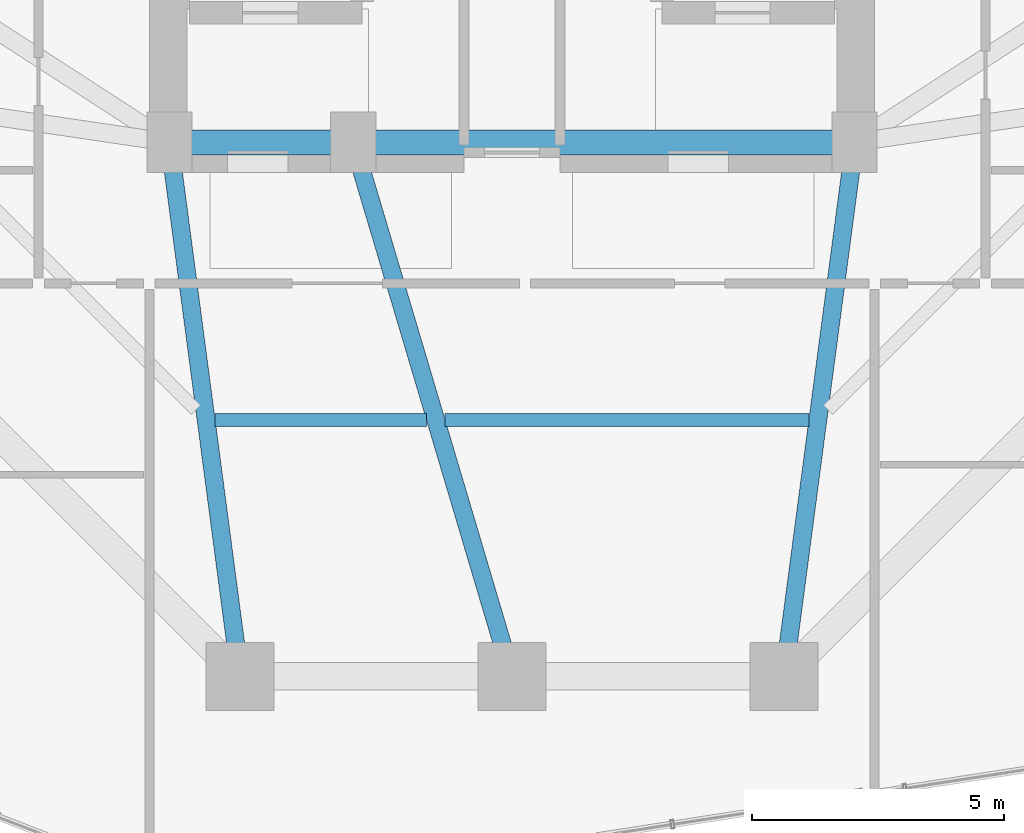
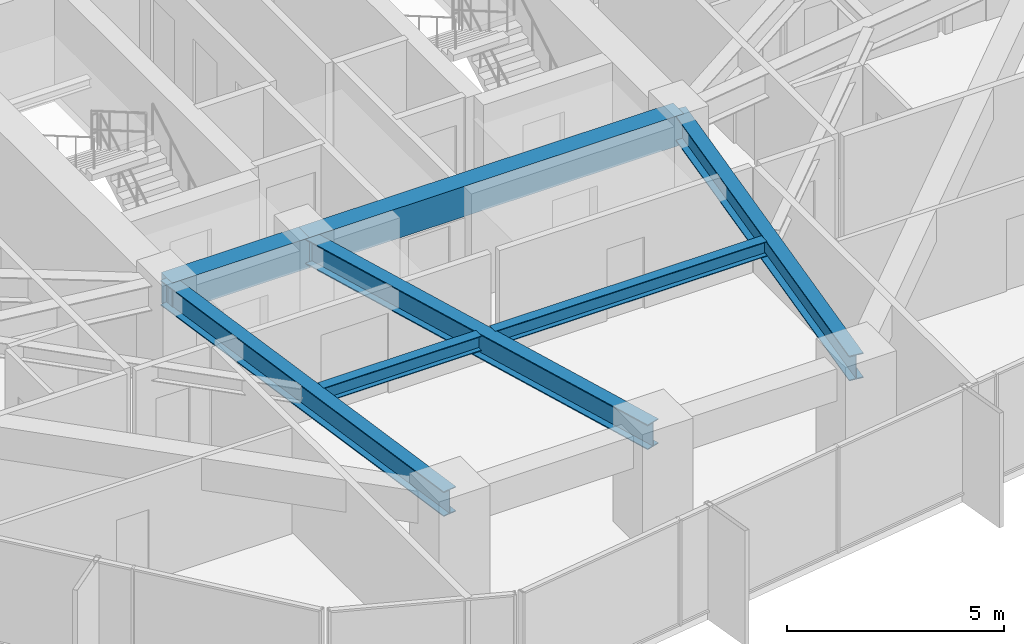
# One storey, part 9 of 37: 7 beams.
"""IFC4 building model written with IfcOpenShell, lengths in metres."""

from ifc_helpers import new_model, si_unit, direction, frame, origin, origin_2d, place, context, subcontext, project, spatial, rectangle, i_section, extrude, material, material_profile, profile_set, type_object, element, save


model = new_model("IFC4")

# Units and contexts
model_context = context("Model", 3, precision=1e-05, world=origin(), true_north=direction((0.0, 1.0)))
body_context = subcontext(model_context, "Body", "Model", "MODEL_VIEW")
ifc_project = project(units=[si_unit("LENGTHUNIT", "METRE"), si_unit("AREAUNIT", "SQUARE_METRE"), si_unit("VOLUMEUNIT", "CUBIC_METRE"), si_unit("PLANEANGLEUNIT", "RADIAN"), si_unit("MASSUNIT", "GRAM", prefix="KILO")], contexts=[model_context])

# Site, building, storey
site_placement = place(None, origin())
site = spatial("IfcSite", under=ifc_project, at=site_placement, CompositionType="ELEMENT")
building_placement = place(site_placement, origin())
building = spatial("IfcBuilding", under=site, at=building_placement, Name="Veraguas Prism Commons", CompositionType="ELEMENT")
storey_placement = place(building_placement, frame((0.0, 0.0, 53.300048828125)))
storey = spatial("IfcBuildingStorey", under=building, at=storey_placement, Name="L14", CompositionType="ELEMENT", Elevation=53.300048828125)

# Beams
ifc_material_1 = material(Name="Concrete C50/60", Category="concrete")
ifc_material_profile_1 = material_profile(ifc_material_1, rectangle(XDim=0.5, YDim=0.85009765625, at=origin_2d()), Name="RC500X850")
ifc_profile_set_1 = profile_set([ifc_material_profile_1], Name="Concrete C50/60")
beam_type_1 = type_object("IfcBeamType", Name="Core Coupling Beam RC 500x850", PredefinedType="BEAM", material=ifc_profile_set_1)
beam_1_placement = place(storey_placement, frame((17.199951171875, 17.0, 2.544921875), z_axis=(1.0, 0.0, 0.0), x_axis=(0.0, 1.0, 0.0)))
element("IfcBeam", 1, at=beam_1_placement, inside=storey, type_object=beam_type_1, Name="Core Coupling Beam L14-CRS1", PredefinedType="BEAM", context=body_context, shape_type="SweptSolid", body=[
    extrude(rectangle(XDim=0.5, YDim=0.85009765625, at=origin_2d()), origin(), (0.0, 0.0, 1.0), 3.650146484375),
])
beam_2_placement = place(storey_placement, frame((20.85009765625, 17.0, 2.544921875), z_axis=(1.0, 0.0, 0.0), x_axis=(0.0, 1.0, 0.0)))
element("IfcBeam", 2, at=beam_2_placement, inside=storey, type_object=beam_type_1, Name="Core Coupling Beam L14-CRS2", PredefinedType="BEAM", context=body_context, shape_type="SweptSolid", body=[
    extrude(rectangle(XDim=0.5, YDim=0.85009765625, at=origin_2d()), origin(), (0.0, 0.0, 1.0), 9.949951171875),
])
ifc_material_2 = material(Name="Steel ASTM A992 Grade 50", Category="steel")
ifc_material_profile_2 = material_profile(ifc_material_2, i_section(OverallWidth=0.260986328125, OverallDepth=0.419921875, WebThickness=0.01171875, FlangeThickness=0.019287109375, at=origin_2d()), Name="W410X114")
ifc_profile_set_2 = profile_set([ifc_material_profile_2], Name="Steel ASTM A992 Grade 50")
beam_type_2 = type_object("IfcBeamType", Name="Lower Floor Joist W410x114", PredefinedType="JOIST", material=ifc_profile_set_2)
beam_3_placement = place(storey_placement, frame((18.10546875, 11.488037109375, 2.760009765625), z_axis=(1.0, 0.0, 0.0), x_axis=(0.0, 1.0, 0.0)))
element("IfcBeam", 3, at=beam_3_placement, inside=storey, type_object=beam_type_2, Name="Composite Floor Joist L14-JS10", PredefinedType="JOIST", context=body_context, shape_type="SweptSolid", body=[
    extrude(i_section(OverallWidth=0.260986328125, OverallDepth=0.419921875, WebThickness=0.01171875, FlangeThickness=0.019287109375, at=origin_2d()), origin(), (0.0, 0.0, 1.0), 4.198974609375),
])
beam_4_placement = place(storey_placement, frame((22.671630859375, 11.488037109375, 2.760009765625), z_axis=(1.0, 0.0, 0.0), x_axis=(0.0, 1.0, 0.0)))
element("IfcBeam", 4, at=beam_4_placement, inside=storey, type_object=beam_type_2, Name="Composite Floor Joist L14-JS11", PredefinedType="JOIST", context=body_context, shape_type="SweptSolid", body=[
    extrude(i_section(OverallWidth=0.260986328125, OverallDepth=0.419921875, WebThickness=0.01171875, FlangeThickness=0.019287109375, at=origin_2d()), origin(), (0.0, 0.0, 1.0), 7.222900390625),
])
ifc_material_profile_3 = material_profile(ifc_material_2, i_section(OverallWidth=0.35595703125, OverallDepth=0.700927734375, WebThickness=0.016845703125, FlangeThickness=0.02734375, at=origin_2d()), Name="W690X240")
ifc_profile_set_3 = profile_set([ifc_material_profile_3], Name="Steel ASTM A992 Grade 50")
beam_type_3 = type_object("IfcBeamType", Name="Zone 1 Radial Girder W690x240", PredefinedType="BEAM", material=ifc_profile_set_3)
beam_5_placement = place(storey_placement, frame((18.60009765625, 6.39990234375, 2.619384765625), z_axis=(-0.130950648891, 0.991388888154, 0.0), x_axis=(-0.991388888154, -0.130950648891, 0.0)))
element("IfcBeam", 5, at=beam_5_placement, inside=storey, type_object=beam_type_3, Name="Radial Floor Girder L14-RD10", PredefinedType="BEAM", context=body_context, shape_type="SweptSolid", body=[
    extrude(i_section(OverallWidth=0.35595703125, OverallDepth=0.700927734375, WebThickness=0.016845703125, FlangeThickness=0.02734375, at=origin_2d()), origin(), (0.0, 0.0, 1.0), 10.692138671875),
])
beam_6_placement = place(storey_placement, frame((24.0, 6.39990234375, 2.619384765625), z_axis=(-0.28484745997, 0.958572858237, 0.0), x_axis=(-0.958572858237, -0.28484745997, 0.0)))
element("IfcBeam", 6, at=beam_6_placement, inside=storey, type_object=beam_type_3, Name="Radial Floor Girder L14-RD11", PredefinedType="BEAM", context=body_context, shape_type="SweptSolid", body=[
    extrude(i_section(OverallWidth=0.35595703125, OverallDepth=0.700927734375, WebThickness=0.016845703125, FlangeThickness=0.02734375, at=origin_2d()), origin(), (0.0, 0.0, 1.0), 11.05810546875),
])
beam_7_placement = place(storey_placement, frame((29.39990234375, 6.39990234375, 2.619384765625), z_axis=(0.130950648891, 0.991388888154, 0.0), x_axis=(-0.991388888154, 0.130950648891, 0.0)))
element("IfcBeam", 7, at=beam_7_placement, inside=storey, type_object=beam_type_3, Name="Radial Floor Girder L14-RD12", PredefinedType="BEAM", context=body_context, shape_type="SweptSolid", body=[
    extrude(i_section(OverallWidth=0.35595703125, OverallDepth=0.700927734375, WebThickness=0.016845703125, FlangeThickness=0.02734375, at=origin_2d()), origin(), (0.0, 0.0, 1.0), 10.692138671875),
])

save(model, "model.ifc")
